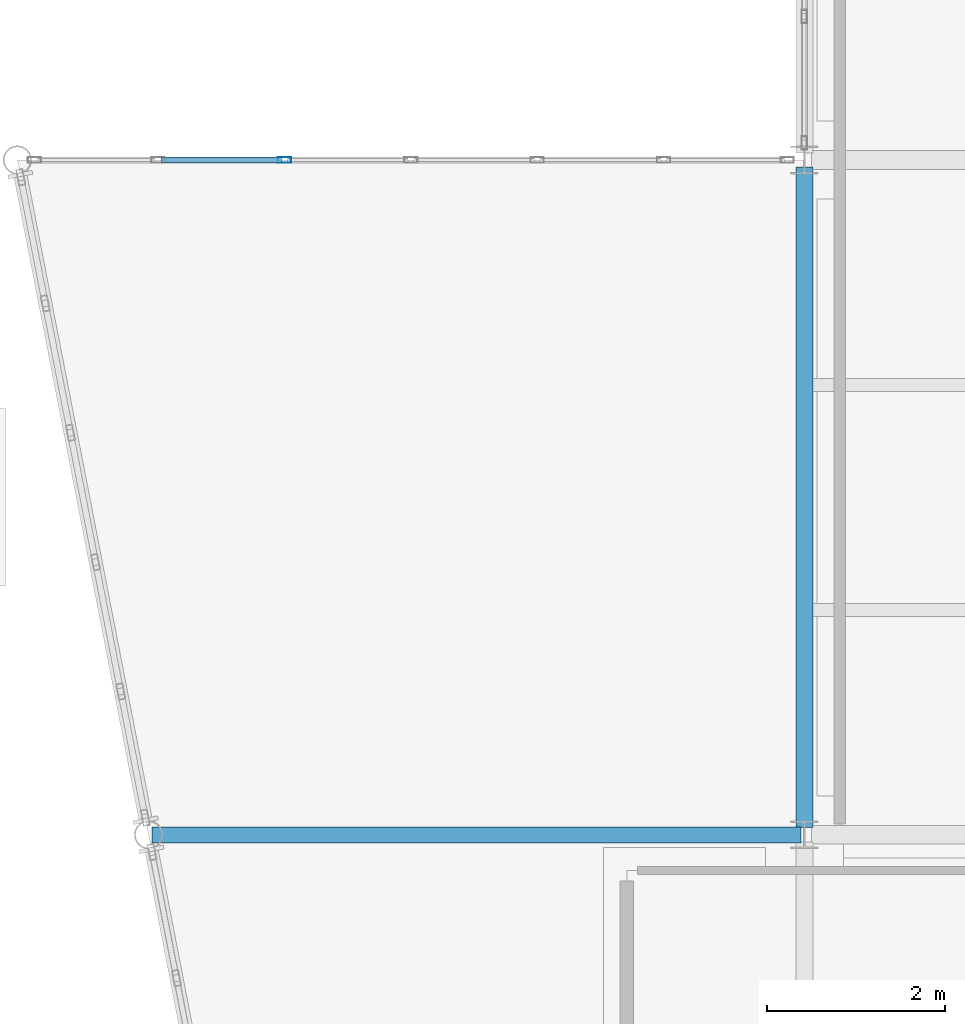
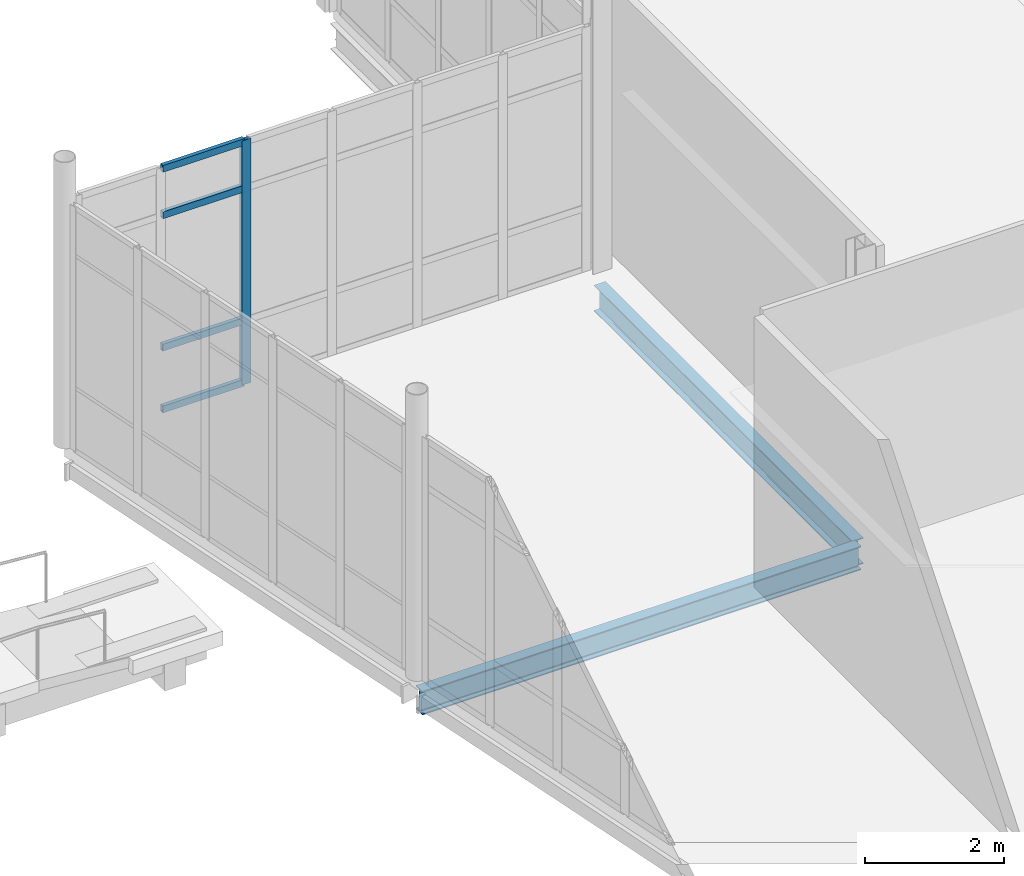
# One storey, part 97 of 161: 5 members, 2 beams, 1 element without a shape of its own.
"""IFC4 building model written with IfcOpenShell, lengths in metres."""

from ifc_helpers import new_model, si_unit, direction, frame, origin, origin_2d, place, context, subcontext, project, spatial, hollow_rectangle, i_section, extrude, material, material_profile, profile_set, type_object, element, aggregate, save


model = new_model("IFC4")

# Units and contexts
model_context = context("Model", 3, precision=1e-05, world=origin(), true_north=direction((0.0, 1.0)))
body_context = subcontext(model_context, "Body", "Model", "MODEL_VIEW")
ifc_project = project(units=[si_unit("LENGTHUNIT", "METRE"), si_unit("AREAUNIT", "SQUARE_METRE"), si_unit("VOLUMEUNIT", "CUBIC_METRE"), si_unit("PLANEANGLEUNIT", "RADIAN"), si_unit("MASSUNIT", "GRAM", prefix="KILO")], contexts=[model_context])

# Site, building, storey
site_placement = place(None, origin())
site = spatial("IfcSite", under=ifc_project, at=site_placement, CompositionType="ELEMENT")
building_placement = place(site_placement, origin())
building = spatial("IfcBuilding", under=site, at=building_placement, Name="Caisbarro Railhouse Central Library", CompositionType="ELEMENT")
storey_placement = place(building_placement, origin())
storey = spatial("IfcBuildingStorey", under=building, at=storey_placement, Name="L00", CompositionType="ELEMENT", Elevation=0.0)

# Beams
ifc_material_1 = material(Name="Steel ASTM A572 Grade 50", Category="steel")
ifc_material_profile_1 = material_profile(ifc_material_1, i_section(OverallWidth=0.18994140625, OverallDepth=0.45703125, WebThickness=0.009033203125, FlangeThickness=0.014404296875, FilletRadius=0.01806640625, at=origin_2d()), Name="W460X74.0")
ifc_profile_set_1 = profile_set([ifc_material_profile_1], Name="Steel ASTM A572 Grade 50")
beam_type_1 = type_object("IfcBeamType", Name="BM-G08", PredefinedType="BEAM", material=ifc_profile_set_1)
beam_1_placement = place(storey_placement, frame((117.0, 98.8798828125, -0.478515625), z_axis=(0.0, 1.0, 0.0), x_axis=(-1.0, 0.0, 0.0)))
element("IfcBeam", 1, at=beam_1_placement, inside=storey, type_object=beam_type_1, Name="G08 beam L00 #527", PredefinedType="BEAM", context=body_context, shape_type="SweptSolid", body=[
    extrude(i_section(OverallWidth=0.18994140625, OverallDepth=0.45703125, WebThickness=0.009033203125, FlangeThickness=0.014404296875, FilletRadius=0.01806640625, at=origin_2d()), origin(), (0.0, 0.0, 1.0), 7.440185546875),
])
ifc_material_profile_2 = material_profile(ifc_material_1, i_section(OverallWidth=0.180908203125, OverallDepth=0.4169921875, WebThickness=0.010986328125, FlangeThickness=0.018310546875, FilletRadius=0.01611328125, at=origin_2d()), Name="W410X85.0")
ifc_profile_set_2 = profile_set([ifc_material_profile_2], Name="Steel ASTM A572 Grade 50")
beam_type_2 = type_object("IfcBeamType", Name="BM-G09", PredefinedType="BEAM", material=ifc_profile_set_2)
beam_2_placement = place(storey_placement, frame((109.654052734375, 98.800048828125, -0.45849609375), z_axis=(1.0, 0.0, 0.0), x_axis=(0.0, 1.0, 0.0)))
element("IfcBeam", 2, at=beam_2_placement, inside=storey, type_object=beam_type_2, Name="G09 beam L00 #691", PredefinedType="BEAM", context=body_context, shape_type="SweptSolid", body=[
    extrude(i_section(OverallWidth=0.180908203125, OverallDepth=0.4169921875, WebThickness=0.010986328125, FlangeThickness=0.018310546875, FilletRadius=0.01611328125, at=origin_2d()), origin(), (0.0, 0.0, 1.0), 7.305908203125),
])

# Curtain wall, members
ifc_material_2 = material(Name="Anodised architectural aluminium", Category="aluminium")
curtain_wall_type = type_object("IfcCurtainWallType", Name="CW-CW03", PredefinedType="NOTDEFINED", material=ifc_material_2)
curtain_wall_placement = place(storey_placement, origin())
curtain_wall = element("IfcCurtainWall", 3, at=curtain_wall_placement, inside=storey, type_object=curtain_wall_type, Name="CW03 curtain wall L00 #101", PredefinedType="NOTDEFINED")
ifc_material_profile_3 = material_profile(ifc_material_2, hollow_rectangle(XDim=0.06494140625, YDim=0.14990234375, WallThickness=0.00390625, at=origin_2d()), Name="ALU-MUL-65X150")
ifc_profile_set_3 = profile_set([ifc_material_profile_3], Name="Anodised architectural aluminium")
member_type_1 = type_object("IfcMemberType", Name="CWM-M02", PredefinedType="MULLION", material=ifc_profile_set_3)
member_1_placement = place(storey_placement, frame((111.14404296875, 106.39990234375, 0.0), z_axis=(0.0, 0.0, 1.0), x_axis=(0.0, 1.0, 0.0)))
member_1 = element("IfcMember", 4, at=member_1_placement, type_object=member_type_1, Name="CW03 mullion 3", PredefinedType="MULLION", context=body_context, shape_type="SweptSolid", body=[
    extrude(hollow_rectangle(XDim=0.06494140625, YDim=0.14990234375, WallThickness=0.00390625, at=origin_2d()), origin(), (0.0, 0.0, 1.0), 4.300048828125),
])
ifc_material_profile_4 = material_profile(ifc_material_2, hollow_rectangle(XDim=0.06494140625, YDim=0.1201171875, WallThickness=0.00341796875, at=origin_2d()), Name="ALU-TRN-65X120")
ifc_profile_set_4 = profile_set([ifc_material_profile_4], Name="Anodised architectural aluminium")
member_type_2 = type_object("IfcMemberType", Name="CWT-T02", PredefinedType="USERDEFINED", material=ifc_profile_set_4)
member_2_placement = place(storey_placement, frame((109.75244140625, 106.39990234375, 0.032470703125), z_axis=(1.0, 0.0, 0.0), x_axis=(0.0, 1.0, 0.0)))
member_2 = element("IfcMember", 5, at=member_2_placement, type_object=member_type_2, Name="CW03 transom 2.1", ObjectType="TRANSOM", PredefinedType="USERDEFINED", context=body_context, shape_type="SweptSolid", body=[
    extrude(hollow_rectangle(XDim=0.06494140625, YDim=0.1201171875, WallThickness=0.00341796875, at=origin_2d()), origin(), (0.0, 0.0, 1.0), 1.359130859375),
])
member_3_placement = place(storey_placement, frame((109.75244140625, 106.39990234375, 1.1201171875), z_axis=(1.0, 0.0, 0.0), x_axis=(0.0, 1.0, 0.0)))
member_3 = element("IfcMember", 6, at=member_3_placement, type_object=member_type_2, Name="CW03 transom 2.2", ObjectType="TRANSOM", PredefinedType="USERDEFINED", context=body_context, shape_type="SweptSolid", body=[
    extrude(hollow_rectangle(XDim=0.06494140625, YDim=0.1201171875, WallThickness=0.00341796875, at=origin_2d()), origin(), (0.0, 0.0, 1.0), 1.359130859375),
])
member_4_placement = place(storey_placement, frame((109.75244140625, 106.39990234375, 3.449951171875), z_axis=(1.0, 0.0, 0.0), x_axis=(0.0, 1.0, 0.0)))
member_4 = element("IfcMember", 7, at=member_4_placement, type_object=member_type_2, Name="CW03 transom 2.3", ObjectType="TRANSOM", PredefinedType="USERDEFINED", context=body_context, shape_type="SweptSolid", body=[
    extrude(hollow_rectangle(XDim=0.06494140625, YDim=0.1201171875, WallThickness=0.00341796875, at=origin_2d()), origin(), (0.0, 0.0, 1.0), 1.359130859375),
])
member_5_placement = place(storey_placement, frame((109.75244140625, 106.39990234375, 4.267578125), z_axis=(1.0, 0.0, 0.0), x_axis=(0.0, 1.0, 0.0)))
member_5 = element("IfcMember", 8, at=member_5_placement, type_object=member_type_2, Name="CW03 transom 2.4", ObjectType="TRANSOM", PredefinedType="USERDEFINED", context=body_context, shape_type="SweptSolid", body=[
    extrude(hollow_rectangle(XDim=0.06494140625, YDim=0.1201171875, WallThickness=0.00341796875, at=origin_2d()), origin(), (0.0, 0.0, 1.0), 1.359130859375),
])
aggregate(curtain_wall, [member_1, member_2, member_3, member_4, member_5])

save(model, "model.ifc")
